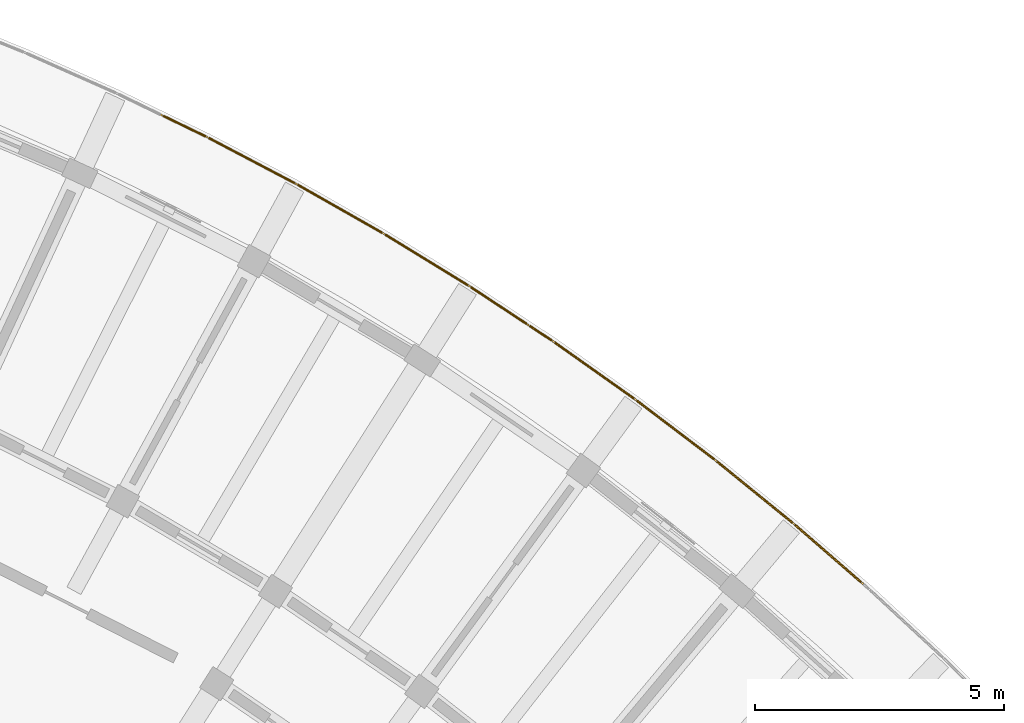
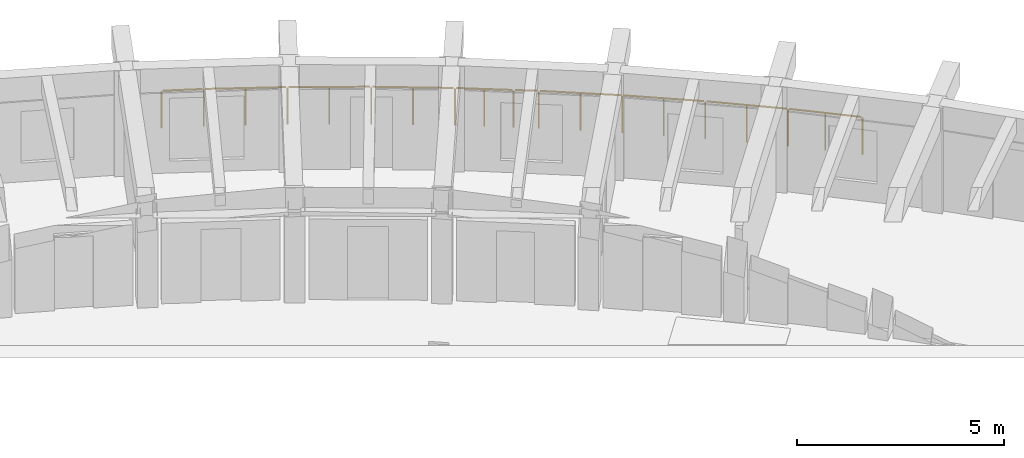
# One storey, part 56 of 56: 2 railings.
"""IFC4 building model written with IfcOpenShell, lengths in metres."""

import ifcopenshell
import ifcopenshell.guid

model = None  # the IFC model being written
_history = None  # IfcOwnerHistory: only IFC2X3 demands one
_inside = {}  # id of a spatial element -> (the spatial element, [elements in it])
_under = {}  # id of a project, library or spatial element -> (it, [spatial elements below it])
_declared = {}  # id of a project -> (the project, [libraries it declares])
_typed = {}  # id of a type object -> (the type object, [elements of that type])
_made_of = {}  # id of a material, layer set ... -> (it, [elements and type objects made of it])


def new_model(schema):
    """Start an empty IFC model of exactly this schema.

    Asked for "IFC4X3", IfcOpenShell would pick the latest addendum, in which some entities
    have other attributes; the version numbers below select the first issue.
    IFC2X3 requires an IfcOwnerHistory on every rooted entity: one is made here for all.
    """
    global model, _history
    if schema == "IFC4X3":
        model = ifcopenshell.file(schema_version=(4, 3, 0, 0))
    else:
        model = ifcopenshell.file(schema=schema)
    _inside.clear()
    _under.clear()
    _declared.clear()
    _typed.clear()
    _made_of.clear()
    _history = None
    if model.schema == "IFC2X3":
        org = make("IfcOrganization", Name="unknown")
        user = make(
            "IfcPersonAndOrganization",
            ThePerson=make("IfcPerson", FamilyName="unknown"),
            TheOrganization=org,
        )
        app = make(
            "IfcApplication",
            ApplicationDeveloper=org,
            Version="unknown",
            ApplicationFullName="unknown",
            ApplicationIdentifier="unknown",
        )
        _history = make(
            "IfcOwnerHistory",
            OwningUser=user,
            OwningApplication=app,
            ChangeAction="ADDED",
            CreationDate=0,
        )
    return model


def make(cls, **values):
    """One entity of the class cls with the attributes given. An attribute that is None is left unset."""
    return model.create_entity(
        cls, **{name: value for name, value in values.items() if value is not None}
    )


def rooted(cls, **values):
    """An entity with a GlobalId (a new one), such as an element, a storey or a relation."""
    return make(cls, GlobalId=ifcopenshell.guid.new(), OwnerHistory=_history, **values)


def si_unit(unit_type, name, prefix=None):
    """IfcSIUnit, for example si_unit("LENGTHUNIT", "METRE", prefix="MILLI")."""
    return make("IfcSIUnit", UnitType=unit_type, Prefix=prefix, Name=name)


def assignment(units):
    """IfcUnitAssignment: the units of a project."""
    return None if units is None else make("IfcUnitAssignment", Units=units)


def point(xyz):
    """IfcCartesianPoint."""
    return None if xyz is None else make("IfcCartesianPoint", Coordinates=xyz)


def direction(xyz):
    """IfcDirection."""
    return None if xyz is None else make("IfcDirection", DirectionRatios=xyz)


def frame(location, z_axis=None, x_axis=None):
    """IfcAxis2Placement3D, a coordinate frame: its origin and axes. An axis left out is left unset."""
    return make(
        "IfcAxis2Placement3D",
        Location=point(location),
        Axis=direction(z_axis),
        RefDirection=direction(x_axis),
    )


def frame_2d(location, x_axis=None):
    """IfcAxis2Placement2D, a coordinate frame in the plane: its origin and x axis."""
    return make(
        "IfcAxis2Placement2D", Location=point(location), RefDirection=direction(x_axis)
    )


def origin():
    """The frame at (0, 0, 0) with its axes left unset."""
    return frame((0.0, 0.0, 0.0))


def origin_2d():
    """The frame at (0, 0) in the plane with its x axis left unset."""
    return frame_2d((0.0, 0.0))


def place(relative_to, where):
    """IfcLocalPlacement: puts the frame where relative to a parent placement (None: the world)."""
    return make(
        "IfcLocalPlacement", PlacementRelTo=relative_to, RelativePlacement=where
    )


def context(
    kind, dimensions, precision=None, world=None, true_north=None, identifier=None
):
    """IfcGeometricRepresentationContext, for example the 3D "Model" context."""
    return make(
        "IfcGeometricRepresentationContext",
        ContextIdentifier=identifier,
        ContextType=kind,
        CoordinateSpaceDimension=dimensions,
        Precision=precision,
        WorldCoordinateSystem=world,
        TrueNorth=true_north,
    )


def subcontext(parent, identifier, kind, view, scale=None):
    """IfcGeometricRepresentationSubContext, for example "Body" below "Model"."""
    return make(
        "IfcGeometricRepresentationSubContext",
        ContextIdentifier=identifier,
        ContextType=kind,
        ParentContext=parent,
        TargetScale=scale,
        TargetView=view,
    )


def project(units=None, contexts=None):
    """IfcProject with its units and contexts."""
    return rooted(
        "IfcProject",
        Name="project",
        RepresentationContexts=contexts,
        UnitsInContext=assignment(units),
    )


def spatial(cls, under=None, at=None, **own):
    """A site, building, storey or space (cls), placed at a placement, below another one or the project."""
    s = rooted(cls, ObjectPlacement=at, **own)
    if under is not None:
        _under.setdefault(under.id(), (under, []))[1].append(s)
    return s


def profile(cls, at=None, kind="AREA", **sizes):
    """A parametric profile (cls). Its sizes go by their IFC names, for example OverallWidth=200.0."""
    return make(cls, ProfileType=kind, Position=at, **sizes)


def circle(**sizes):
    """IfcCircleProfileDef."""
    return profile("IfcCircleProfileDef", **sizes)


def extrude(swept, where, along, depth):
    """IfcExtrudedAreaSolid: the profile swept, set in the frame where, extruded along a direction by depth."""
    return make(
        "IfcExtrudedAreaSolid",
        SweptArea=swept,
        Position=where,
        ExtrudedDirection=direction(along),
        Depth=depth,
    )


def shape(context_of_items, identifier, shape_type, items):
    """IfcShapeRepresentation: the items that make up one representation, for example the "Body"."""
    return make(
        "IfcShapeRepresentation",
        ContextOfItems=context_of_items,
        RepresentationIdentifier=identifier,
        RepresentationType=shape_type,
        Items=items,
    )


def material(Name=None, Category=None):
    """IfcMaterial."""
    return make("IfcMaterial", Name=Name, Category=Category)


def made_of(thing, what):
    """Note that an element or type object is made of a material, layer set ...; save() writes the relation."""
    if what is not None:
        _made_of.setdefault(what.id(), (what, []))[1].append(thing)
    return thing


def type_object(cls, material=None, **own):
    """A type object (cls), such as IfcWallType, which elements share."""
    return made_of(rooted(cls, **own), material)


def element(
    cls,
    number,
    at=None,
    inside=None,
    cuts=None,
    type_object=None,
    material=None,
    context=None,
    identifier="Body",
    shape_type=None,
    held_by="IfcProductDefinitionShape",
    body=None,
    shapes=None,
    **own,
):
    """One element of the class cls, such as IfcWall. Its Tag is "e" and its number.

    at: its placement. inside: the storey or other place that contains it. cuts: it is an
    opening in that element (IfcRelVoidsElement). A single representation is given by context,
    identifier, shape_type and body (its items); several are given by shapes. held_by: the class
    of the entity that holds the representations. save() writes the other relations.
    """
    e = rooted(cls, Tag="e%d" % number, ObjectPlacement=at, **own)
    if body is not None:
        shapes = [shape(context, identifier, shape_type, body)]
    if shapes is not None:
        e.Representation = make(held_by, Representations=shapes)
    if inside is not None:
        _inside.setdefault(inside.id(), (inside, []))[1].append(e)
    if cuts is not None:
        rooted(
            "IfcRelVoidsElement", RelatingBuildingElement=cuts, RelatedOpeningElement=e
        )
    if type_object is not None:
        _typed.setdefault(type_object.id(), (type_object, []))[1].append(e)
    return made_of(e, material)


def aggregate(whole, parts):
    """IfcRelAggregates: a whole, such as a stair, and the parts it consists of."""
    return rooted("IfcRelAggregates", RelatingObject=whole, RelatedObjects=parts)


def save(model, path):
    """Write the relations noted so far, then the file.

    IfcRelAggregates (storeys below a building ...), IfcRelContainedInSpatialStructure (elements
    in a storey), IfcRelDefinesByType, IfcRelAssociatesMaterial and IfcRelDeclares: one each for
    every whole, place, type object, material and project.
    """
    for whole, parts in _under.values():
        aggregate(whole, parts)
    for where, things in _inside.values():
        rooted(
            "IfcRelContainedInSpatialStructure",
            RelatedElements=things,
            RelatingStructure=where,
        )
    for kind, things in _typed.values():
        rooted("IfcRelDefinesByType", RelatedObjects=things, RelatingType=kind)
    for what, things in _made_of.values():
        rooted("IfcRelAssociatesMaterial", RelatedObjects=things, RelatingMaterial=what)
    for by, libraries in _declared.values():
        rooted("IfcRelDeclares", RelatingContext=by, RelatedDefinitions=libraries)
    model.write(path)


model = new_model("IFC4")

# Units and contexts
model_context = context("Model", 3, precision=1e-05, world=origin(), true_north=direction((0.0, 1.0)))
body_context = subcontext(model_context, "Body", "Model", "MODEL_VIEW")
ifc_project = project(units=[si_unit("LENGTHUNIT", "METRE"), si_unit("AREAUNIT", "SQUARE_METRE"), si_unit("VOLUMEUNIT", "CUBIC_METRE"), si_unit("PLANEANGLEUNIT", "RADIAN"), si_unit("MASSUNIT", "GRAM", prefix="KILO")], contexts=[model_context])

# Site, building, storey
site_placement = place(None, origin())
site = spatial("IfcSite", under=ifc_project, at=site_placement, CompositionType="ELEMENT")
building_placement = place(site_placement, origin())
building = spatial("IfcBuilding", under=site, at=building_placement, Name="Tanwirah Colonnade Gardens", CompositionType="ELEMENT")
storey_placement = place(building_placement, frame((0.0, 0.0, 29.0)))
storey = spatial("IfcBuildingStorey", under=building, at=storey_placement, Name="L08", CompositionType="ELEMENT", Elevation=29.0)

# Railings
ifc_material = material(Name="Precast concrete C40/50", Category="concrete")
railing_type = type_object("IfcRailingType", Name="BAL-EXT112", PredefinedType="BALUSTRADE", material=ifc_material)
railing_1_placement = place(storey_placement, frame((147.708251953125, 115.388671875, 0.0)))
element("IfcRailing", 1, at=railing_1_placement, inside=storey, type_object=railing_type, Name="Block B L08 Balcony Ribbon Balustrade 12", PredefinedType="BALUSTRADE", context=body_context, shape_type="SweptSolid", body=[
    extrude(circle(Radius=0.02392578125, at=origin_2d()), frame((0.028076171875, -0.013671875, 1.09619140625), z_axis=(0.900050261893, -0.435786101278, 0.0), x_axis=(0.435786101278, 0.900050261893, 0.0)), (0.0, 0.0, 1.0), 0.957763671875),
    extrude(circle(Radius=0.02392578125, at=origin_2d()), frame((0.94580078125, -0.459228515625, 1.09619140625), z_axis=(0.885211446817, -0.465188880374, 0.0), x_axis=(0.465188880374, 0.885211446817, 0.0)), (0.0, 0.0, 1.0), 1.958984375),
    extrude(circle(Radius=0.02392578125, at=origin_2d()), frame((2.73486328125, -1.400390625, 1.09619140625), z_axis=(0.869392881113, -0.494121461049, 0.0), x_axis=(0.494121461049, 0.869392881113, 0.0)), (0.0, 0.0, 1.0), 1.958740234375),
    extrude(circle(Radius=0.02392578125, at=origin_2d()), frame((4.49169921875, -2.400146484375, 1.09619140625), z_axis=(0.852660263329, -0.522465764754, 0.0), x_axis=(0.522465764754, 0.852660263329, 0.0)), (0.0, 0.0, 1.0), 1.958984375),
    extrude(circle(Radius=0.02392578125, at=origin_2d()), frame((6.21484375, -3.45703125, 1.09619140625), z_axis=(0.834931187117, -0.550354352012, 0.0), x_axis=(0.550354352012, 0.834931187117, 0.0)), (0.0, 0.0, 1.0), 1.35302734375),
    extrude(circle(Radius=0.02099609375, at=origin_2d()), origin(), (0.0, 0.0, 1.0), 1.069091796875),
    extrude(circle(Radius=0.02099609375, at=origin_2d()), frame((0.918212890625, -0.444580078125, 0.0)), (0.0, 0.0, 1.0), 1.069091796875),
    extrude(circle(Radius=0.02099609375, at=origin_2d()), frame((1.81298828125, -0.914794921875, 0.0)), (0.0, 0.0, 1.0), 1.069091796875),
    extrude(circle(Radius=0.02099609375, at=origin_2d()), frame((2.707763671875, -1.385009765625, 0.0)), (0.0, 0.0, 1.0), 1.069091796875),
    extrude(circle(Radius=0.02099609375, at=origin_2d()), frame((3.58642578125, -1.88427734375, 0.0)), (0.0, 0.0, 1.0), 1.069091796875),
    extrude(circle(Radius=0.02099609375, at=origin_2d()), frame((4.465087890625, -2.3837890625, 0.0)), (0.0, 0.0, 1.0), 1.069091796875),
    extrude(circle(Radius=0.02099609375, at=origin_2d()), frame((5.326904296875, -2.911865234375, 0.0)), (0.0, 0.0, 1.0), 1.069091796875),
    extrude(circle(Radius=0.02099609375, at=origin_2d()), frame((6.188720703125, -3.43994140625, 0.0)), (0.0, 0.0, 1.0), 1.069091796875),
    extrude(circle(Radius=0.02099609375, at=origin_2d()), frame((6.77978515625, -3.82958984375, 0.0)), (0.0, 0.0, 1.0), 1.069091796875),
    extrude(circle(Radius=0.02099609375, at=origin_2d()), frame((7.37060546875, -4.218994140625, 0.0)), (0.0, 0.0, 1.0), 1.069091796875),
])
railing_2_placement = place(storey_placement, frame((155.078857421875, 111.169677734375, 0.0)))
element("IfcRailing", 2, at=railing_2_placement, inside=storey, type_object=railing_type, Name="Block B L08 Balcony Ribbon Balustrade 13", PredefinedType="BALUSTRADE", context=body_context, shape_type="SweptSolid", body=[
    extrude(circle(Radius=0.02392578125, at=origin_2d()), frame((0.026123046875, -0.01708984375, 1.09619140625), z_axis=(0.835012884378, -0.550230390767, 0.0), x_axis=(0.550230390767, 0.835012884378, 0.0)), (0.0, 0.0, 1.0), 0.54345703125),
    extrude(circle(Radius=0.02392578125, at=origin_2d()), frame((0.53173828125, -0.3515625, 1.09619140625), z_axis=(0.816344803849, -0.577564854565, 0.0), x_axis=(0.577564854565, 0.816344803849, 0.0)), (0.0, 0.0, 1.0), 1.958740234375),
    extrude(circle(Radius=0.02392578125, at=origin_2d()), frame((2.18115234375, -1.519775390625, 1.09619140625), z_axis=(0.796887753746, -0.604127393792, 0.0), x_axis=(0.604127393792, 0.796887753746, 0.0)), (0.0, 0.0, 1.0), 1.958984375),
    extrude(circle(Radius=0.02392578125, at=origin_2d()), frame((3.791259765625, -2.741943359375, 1.09619140625), z_axis=(0.776549722569, -0.630055972417, 0.0), x_axis=(0.630055972417, 0.776549722569, 0.0)), (0.0, 0.0, 1.0), 1.958984375),
    extrude(circle(Radius=0.02392578125, at=origin_2d()), frame((5.360595703125, -4.016357421875, 1.09619140625), z_axis=(0.755314695827, -0.655362274065, 0.0), x_axis=(0.655362274065, 0.755314695827, 0.0)), (0.0, 0.0, 1.0), 1.766845703125),
    extrude(circle(Radius=0.02099609375, at=origin_2d()), origin(), (0.0, 0.0, 1.0), 1.069091796875),
    extrude(circle(Radius=0.02099609375, at=origin_2d()), frame((0.506103515625, -0.33349609375, 0.0)), (0.0, 0.0, 1.0), 1.069091796875),
    extrude(circle(Radius=0.02099609375, at=origin_2d()), frame((1.3310546875, -0.917236328125, 0.0)), (0.0, 0.0, 1.0), 1.069091796875),
    extrude(circle(Radius=0.02099609375, at=origin_2d()), frame((2.15625, -1.5009765625, 0.0)), (0.0, 0.0, 1.0), 1.069091796875),
    extrude(circle(Radius=0.02099609375, at=origin_2d()), frame((2.961669921875, -2.111572265625, 0.0)), (0.0, 0.0, 1.0), 1.069091796875),
    extrude(circle(Radius=0.02099609375, at=origin_2d()), frame((3.76708984375, -2.72216796875, 0.0)), (0.0, 0.0, 1.0), 1.069091796875),
    extrude(circle(Radius=0.02099609375, at=origin_2d()), frame((4.552001953125, -3.35888671875, 0.0)), (0.0, 0.0, 1.0), 1.069091796875),
    extrude(circle(Radius=0.02099609375, at=origin_2d()), frame((5.3369140625, -3.995849609375, 0.0)), (0.0, 0.0, 1.0), 1.069091796875),
    extrude(circle(Radius=0.02099609375, at=origin_2d()), frame((6.02783203125, -4.59521484375, 0.0)), (0.0, 0.0, 1.0), 1.069091796875),
    extrude(circle(Radius=0.02099609375, at=origin_2d()), frame((6.71875, -5.19482421875, 0.0)), (0.0, 0.0, 1.0), 1.069091796875),
])

save(model, "model.ifc")
